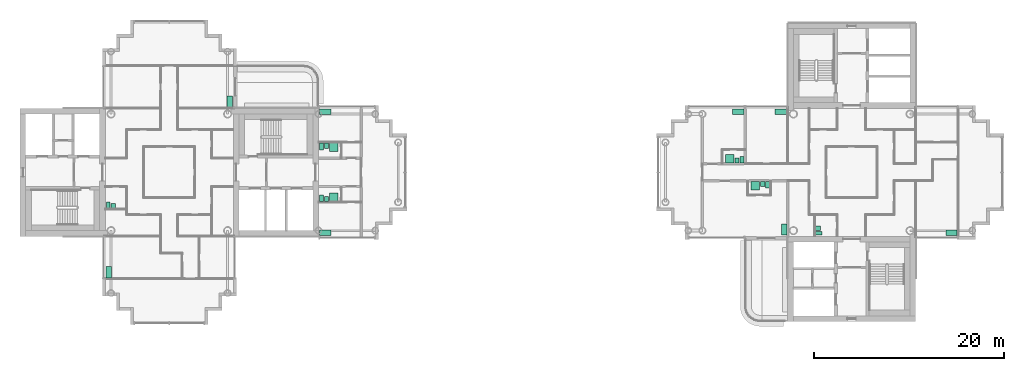
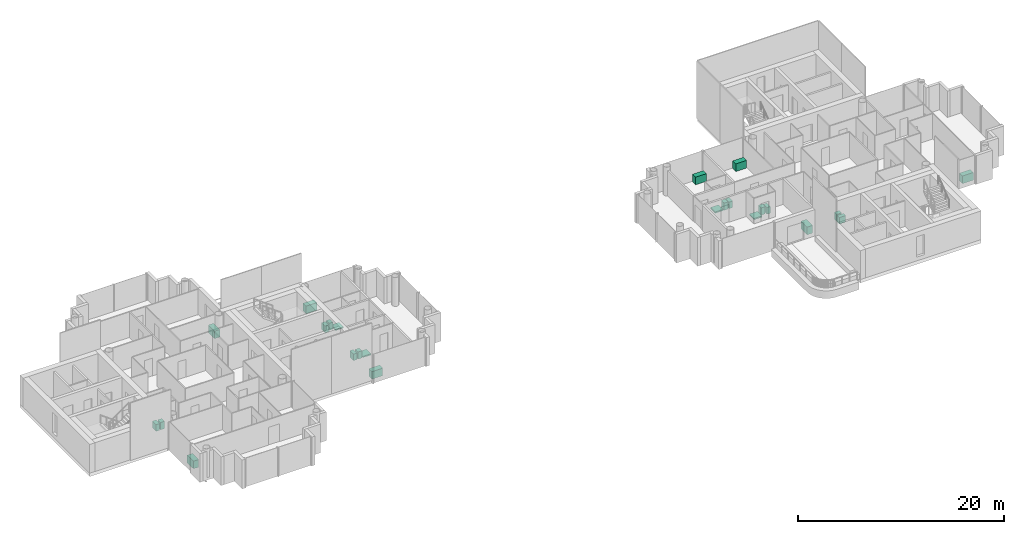
# One storey, part 18 of 18: 24 sanitary terminals.
"""IFC4 building model written with IfcOpenShell, lengths in metres."""

from ifc_helpers import new_model, si_unit, direction, frame, origin, origin_2d, place, context, subcontext, project, spatial, rectangle, extrude, material, type_object, element, save


model = new_model("IFC4")

# Units and contexts
model_context = context("Model", 3, precision=1e-05, world=origin(), true_north=direction((0.0, 1.0)))
body_context = subcontext(model_context, "Body", "Model", "MODEL_VIEW")
ifc_project = project(units=[si_unit("LENGTHUNIT", "METRE"), si_unit("AREAUNIT", "SQUARE_METRE"), si_unit("VOLUMEUNIT", "CUBIC_METRE"), si_unit("PLANEANGLEUNIT", "RADIAN"), si_unit("MASSUNIT", "GRAM", prefix="KILO")], contexts=[model_context])

# Site, building, storey
site_placement = place(None, origin())
site = spatial("IfcSite", under=ifc_project, at=site_placement, CompositionType="ELEMENT")
building_placement = place(site_placement, origin())
building = spatial("IfcBuilding", under=site, at=building_placement, Name="Ipe Terrace Towers", CompositionType="ELEMENT")
storey_placement = place(building_placement, frame((0.0, 0.0, 206.199951171875)))
storey = spatial("IfcBuildingStorey", under=building, at=storey_placement, Name="L57", CompositionType="ELEMENT", Elevation=206.199951171875)

# Sanitary terminals
ifc_material_1 = material(Name="Stainless sink unit", Category="metal")
sanitary_terminal_type_1 = type_object("IfcSanitaryTerminalType", Name="Kitchen sink unit", PredefinedType="SINK", material=ifc_material_1)
for number, where, z_axis, x_axis, name in (
    (1, (-29.6201171875, 7.469970703125, 0.0), (0.0, 0.0, 1.0), (0.0, -1.0, 0.0), "Kitchen sink unit"),
    (2, (-42.3798828125, -10.530029296875, 0.0), (0.0, 0.0, 1.0), (0.0, 1.0, 0.0), "Kitchen sink unit"),
    (3, (-19.530029296875, 6.3798828125, 0.0), (0.0, 0.0, 1.0), (1.0, 0.0, 0.0), "Kitchen sink unit"),
    (4, (-19.530029296875, -6.3798828125, 0.0), (0.0, 0.0, 1.0), (-1.0, 0.0, 0.0), "Kitchen sink unit"),
    (5, (28.8798828125, -6.030029296875, 0.0), (0.0, 0.0, 1.0), (0.0, -1.0, 0.0), "Kitchen sink unit"),
    (6, (28.530029296875, 6.3798828125, 0.0), (0.0, 0.0, 1.0), (1.0, 0.0, 0.0), "Kitchen sink unit"),
    (7, (24.030029296875, 6.3798828125, 0.0), (0.0, 0.0, 1.0), (1.0, 0.0, 0.0), "Kitchen sink unit"),
    (8, (46.530029296875, -6.3798828125, 0.0), (0.0, 0.0, 1.0), (-1.0, 0.0, 0.0), "Kitchen sink unit"),
):
    element("IfcSanitaryTerminal", number, at=place(storey_placement, frame(where, z_axis=z_axis, x_axis=x_axis)), inside=storey, type_object=sanitary_terminal_type_1, Name=name, PredefinedType="SINK", context=body_context, shape_type="SweptSolid", body=[
        extrude(rectangle(XDim=1.199951171875, YDim=0.60009765625, at=origin_2d()), origin(), (0.0, 0.0, 1.0), 0.89990234375),
    ])
ifc_material_2 = material(Name="Acrylic", Category="plastic")
sanitary_terminal_type_2 = type_object("IfcSanitaryTerminalType", Name="Shower tray", PredefinedType="SHOWER", material=ifc_material_2)
for number, where, z_axis, x_axis, name in (
    (9, (-18.6298828125, 2.6298828125, 0.0), (0.0, 0.0, 1.0), (0.0, -1.0, 0.0), "Shower tray"),
    (10, (-18.6298828125, -2.6298828125, 0.0), (0.0, 0.0, 1.0), (0.0, 1.0, 0.0), "Shower tray"),
    (11, (25.830078125, -1.419921875, 0.0), (0.0, 0.0, 1.0), (0.0, -1.0, 0.0), "Shower tray"),
    (12, (23.1298828125, 1.419921875, 0.0), (0.0, 0.0, 1.0), (0.0, 1.0, 0.0), "Shower tray"),
):
    element("IfcSanitaryTerminal", number, at=place(storey_placement, frame(where, z_axis=z_axis, x_axis=x_axis)), inside=storey, type_object=sanitary_terminal_type_2, Name=name, PredefinedType="SHOWER", context=body_context, shape_type="SweptSolid", body=[
        extrude(rectangle(XDim=0.89990234375, YDim=0.89990234375, at=origin_2d()), origin(), (0.0, 0.0, 1.0), 0.14990234375),
    ])
ifc_material_3 = material(Name="Vitreous china", Category="ceramic")
sanitary_terminal_type_3 = type_object("IfcSanitaryTerminalType", Name="Wash basin", PredefinedType="WASHHANDBASIN", material=ifc_material_3)
for number, where, z_axis, x_axis, name in (
    (13, (-41.905029296875, -3.554931640625, 0.0), (0.0, 0.0, 1.0), (0.0, 1.0, 0.0), "Wash basin"),
    (14, (-19.405029296875, 2.804931640625, 0.0), (0.0, 0.0, 1.0), (0.0, -1.0, 0.0), "Wash basin"),
    (15, (-19.405029296875, -2.804931640625, 0.0), (0.0, 0.0, 1.0), (0.0, 1.0, 0.0), "Wash basin"),
    (16, (32.445068359375, -5.905029296875, 0.0), (0.0, 0.0, 1.0), (1.0, 0.0, 0.0), "Wash basin"),
    (17, (26.60498046875, -1.2451171875, 0.0), (0.0, 0.0, 1.0), (0.0, -1.0, 0.0), "Wash basin"),
    (18, (23.905029296875, 1.2451171875, 0.0), (0.0, 0.0, 1.0), (0.0, 1.0, 0.0), "Wash basin"),
):
    element("IfcSanitaryTerminal", number, at=place(storey_placement, frame(where, z_axis=z_axis, x_axis=x_axis)), inside=storey, type_object=sanitary_terminal_type_3, Name=name, PredefinedType="WASHHANDBASIN", context=body_context, shape_type="SweptSolid", body=[
        extrude(rectangle(XDim=0.550048828125, YDim=0.449951171875, at=origin_2d()), origin(), (0.0, 0.0, 1.0), 0.85009765625),
    ])
ifc_material_4 = material(Name="Vitreous china", Category="ceramic")
sanitary_terminal_type_4 = type_object("IfcSanitaryTerminalType", Name="Water closet", PredefinedType="TOILETPAN", material=ifc_material_4)
for number, where, z_axis, x_axis, name in (
    (19, (-42.429931640625, -3.47998046875, 0.0), (0.0, 0.0, 1.0), (0.0, 1.0, 0.0), "Water closet"),
    (20, (-19.929931640625, 2.72998046875, 0.0), (0.0, 0.0, 1.0), (0.0, -1.0, 0.0), "Water closet"),
    (21, (-19.929931640625, -2.72998046875, 0.0), (0.0, 0.0, 1.0), (0.0, 1.0, 0.0), "Water closet"),
    (22, (32.52001953125, -6.429931640625, 0.0), (0.0, 0.0, 1.0), (1.0, 0.0, 0.0), "Water closet"),
    (23, (27.1298828125, -1.320068359375, 0.0), (0.0, 0.0, 1.0), (0.0, -1.0, 0.0), "Water closet"),
    (24, (24.429931640625, 1.320068359375, 0.0), (0.0, 0.0, 1.0), (0.0, 1.0, 0.0), "Water closet"),
):
    element("IfcSanitaryTerminal", number, at=place(storey_placement, frame(where, z_axis=z_axis, x_axis=x_axis)), inside=storey, type_object=sanitary_terminal_type_4, Name=name, PredefinedType="TOILETPAN", context=body_context, shape_type="SweptSolid", body=[
        extrude(rectangle(XDim=0.699951171875, YDim=0.39990234375, at=origin_2d()), origin(), (0.0, 0.0, 1.0), 0.780029296875),
    ])

save(model, "model.ifc")
